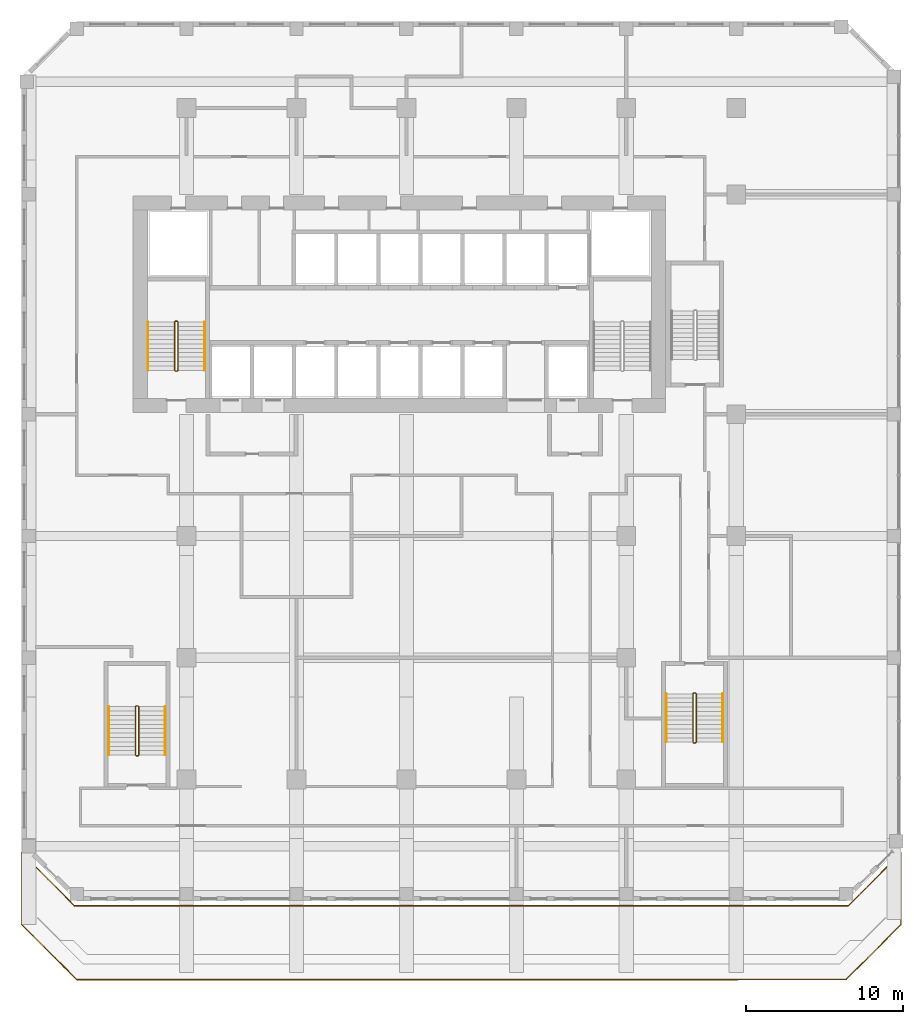
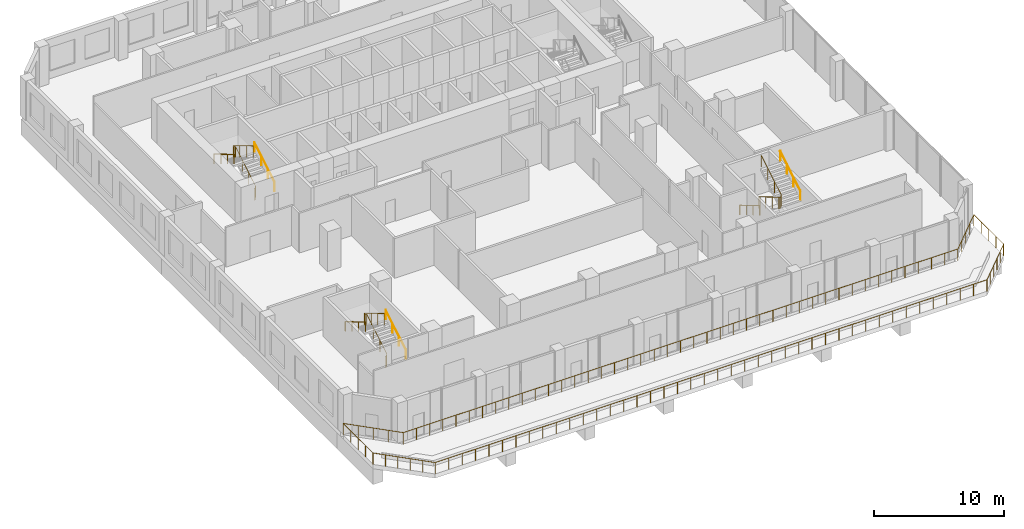
# One storey, part 16 of 17: 10 railings.
"""IFC4 building model written with IfcOpenShell, lengths in metres."""

import ifcopenshell
import ifcopenshell.guid

model = None  # the IFC model being written
_history = None  # IfcOwnerHistory: only IFC2X3 demands one
_inside = {}  # id of a spatial element -> (the spatial element, [elements in it])
_under = {}  # id of a project, library or spatial element -> (it, [spatial elements below it])
_declared = {}  # id of a project -> (the project, [libraries it declares])
_typed = {}  # id of a type object -> (the type object, [elements of that type])
_made_of = {}  # id of a material, layer set ... -> (it, [elements and type objects made of it])


def new_model(schema):
    """Start an empty IFC model of exactly this schema.

    Asked for "IFC4X3", IfcOpenShell would pick the latest addendum, in which some entities
    have other attributes; the version numbers below select the first issue.
    IFC2X3 requires an IfcOwnerHistory on every rooted entity: one is made here for all.
    """
    global model, _history
    if schema == "IFC4X3":
        model = ifcopenshell.file(schema_version=(4, 3, 0, 0))
    else:
        model = ifcopenshell.file(schema=schema)
    _inside.clear()
    _under.clear()
    _declared.clear()
    _typed.clear()
    _made_of.clear()
    _history = None
    if model.schema == "IFC2X3":
        org = make("IfcOrganization", Name="unknown")
        user = make(
            "IfcPersonAndOrganization",
            ThePerson=make("IfcPerson", FamilyName="unknown"),
            TheOrganization=org,
        )
        app = make(
            "IfcApplication",
            ApplicationDeveloper=org,
            Version="unknown",
            ApplicationFullName="unknown",
            ApplicationIdentifier="unknown",
        )
        _history = make(
            "IfcOwnerHistory",
            OwningUser=user,
            OwningApplication=app,
            ChangeAction="ADDED",
            CreationDate=0,
        )
    return model


def make(cls, **values):
    """One entity of the class cls with the attributes given. An attribute that is None is left unset."""
    return model.create_entity(
        cls, **{name: value for name, value in values.items() if value is not None}
    )


def rooted(cls, **values):
    """An entity with a GlobalId (a new one), such as an element, a storey or a relation."""
    return make(cls, GlobalId=ifcopenshell.guid.new(), OwnerHistory=_history, **values)


def si_unit(unit_type, name, prefix=None):
    """IfcSIUnit, for example si_unit("LENGTHUNIT", "METRE", prefix="MILLI")."""
    return make("IfcSIUnit", UnitType=unit_type, Prefix=prefix, Name=name)


def assignment(units):
    """IfcUnitAssignment: the units of a project."""
    return None if units is None else make("IfcUnitAssignment", Units=units)


def point(xyz):
    """IfcCartesianPoint."""
    return None if xyz is None else make("IfcCartesianPoint", Coordinates=xyz)


def direction(xyz):
    """IfcDirection."""
    return None if xyz is None else make("IfcDirection", DirectionRatios=xyz)


def frame(location, z_axis=None, x_axis=None):
    """IfcAxis2Placement3D, a coordinate frame: its origin and axes. An axis left out is left unset."""
    return make(
        "IfcAxis2Placement3D",
        Location=point(location),
        Axis=direction(z_axis),
        RefDirection=direction(x_axis),
    )


def frame_2d(location, x_axis=None):
    """IfcAxis2Placement2D, a coordinate frame in the plane: its origin and x axis."""
    return make(
        "IfcAxis2Placement2D", Location=point(location), RefDirection=direction(x_axis)
    )


def origin():
    """The frame at (0, 0, 0) with its axes left unset."""
    return frame((0.0, 0.0, 0.0))


def origin_2d():
    """The frame at (0, 0) in the plane with its x axis left unset."""
    return frame_2d((0.0, 0.0))


def place(relative_to, where):
    """IfcLocalPlacement: puts the frame where relative to a parent placement (None: the world)."""
    return make(
        "IfcLocalPlacement", PlacementRelTo=relative_to, RelativePlacement=where
    )


def context(
    kind, dimensions, precision=None, world=None, true_north=None, identifier=None
):
    """IfcGeometricRepresentationContext, for example the 3D "Model" context."""
    return make(
        "IfcGeometricRepresentationContext",
        ContextIdentifier=identifier,
        ContextType=kind,
        CoordinateSpaceDimension=dimensions,
        Precision=precision,
        WorldCoordinateSystem=world,
        TrueNorth=true_north,
    )


def subcontext(parent, identifier, kind, view, scale=None):
    """IfcGeometricRepresentationSubContext, for example "Body" below "Model"."""
    return make(
        "IfcGeometricRepresentationSubContext",
        ContextIdentifier=identifier,
        ContextType=kind,
        ParentContext=parent,
        TargetScale=scale,
        TargetView=view,
    )


def project(units=None, contexts=None):
    """IfcProject with its units and contexts."""
    return rooted(
        "IfcProject",
        Name="project",
        RepresentationContexts=contexts,
        UnitsInContext=assignment(units),
    )


def spatial(cls, under=None, at=None, **own):
    """A site, building, storey or space (cls), placed at a placement, below another one or the project."""
    s = rooted(cls, ObjectPlacement=at, **own)
    if under is not None:
        _under.setdefault(under.id(), (under, []))[1].append(s)
    return s


def profile(cls, at=None, kind="AREA", **sizes):
    """A parametric profile (cls). Its sizes go by their IFC names, for example OverallWidth=200.0."""
    return make(cls, ProfileType=kind, Position=at, **sizes)


def circle(**sizes):
    """IfcCircleProfileDef."""
    return profile("IfcCircleProfileDef", **sizes)


def extrude(swept, where, along, depth):
    """IfcExtrudedAreaSolid: the profile swept, set in the frame where, extruded along a direction by depth."""
    return make(
        "IfcExtrudedAreaSolid",
        SweptArea=swept,
        Position=where,
        ExtrudedDirection=direction(along),
        Depth=depth,
    )


def shape(context_of_items, identifier, shape_type, items):
    """IfcShapeRepresentation: the items that make up one representation, for example the "Body"."""
    return make(
        "IfcShapeRepresentation",
        ContextOfItems=context_of_items,
        RepresentationIdentifier=identifier,
        RepresentationType=shape_type,
        Items=items,
    )


def material(Name=None, Category=None):
    """IfcMaterial."""
    return make("IfcMaterial", Name=Name, Category=Category)


def made_of(thing, what):
    """Note that an element or type object is made of a material, layer set ...; save() writes the relation."""
    if what is not None:
        _made_of.setdefault(what.id(), (what, []))[1].append(thing)
    return thing


def type_object(cls, material=None, **own):
    """A type object (cls), such as IfcWallType, which elements share."""
    return made_of(rooted(cls, **own), material)


def element(
    cls,
    number,
    at=None,
    inside=None,
    cuts=None,
    type_object=None,
    material=None,
    context=None,
    identifier="Body",
    shape_type=None,
    held_by="IfcProductDefinitionShape",
    body=None,
    shapes=None,
    **own,
):
    """One element of the class cls, such as IfcWall. Its Tag is "e" and its number.

    at: its placement. inside: the storey or other place that contains it. cuts: it is an
    opening in that element (IfcRelVoidsElement). A single representation is given by context,
    identifier, shape_type and body (its items); several are given by shapes. held_by: the class
    of the entity that holds the representations. save() writes the other relations.
    """
    e = rooted(cls, Tag="e%d" % number, ObjectPlacement=at, **own)
    if body is not None:
        shapes = [shape(context, identifier, shape_type, body)]
    if shapes is not None:
        e.Representation = make(held_by, Representations=shapes)
    if inside is not None:
        _inside.setdefault(inside.id(), (inside, []))[1].append(e)
    if cuts is not None:
        rooted(
            "IfcRelVoidsElement", RelatingBuildingElement=cuts, RelatedOpeningElement=e
        )
    if type_object is not None:
        _typed.setdefault(type_object.id(), (type_object, []))[1].append(e)
    return made_of(e, material)


def aggregate(whole, parts):
    """IfcRelAggregates: a whole, such as a stair, and the parts it consists of."""
    return rooted("IfcRelAggregates", RelatingObject=whole, RelatedObjects=parts)


def save(model, path):
    """Write the relations noted so far, then the file.

    IfcRelAggregates (storeys below a building ...), IfcRelContainedInSpatialStructure (elements
    in a storey), IfcRelDefinesByType, IfcRelAssociatesMaterial and IfcRelDeclares: one each for
    every whole, place, type object, material and project.
    """
    for whole, parts in _under.values():
        aggregate(whole, parts)
    for where, things in _inside.values():
        rooted(
            "IfcRelContainedInSpatialStructure",
            RelatedElements=things,
            RelatingStructure=where,
        )
    for kind, things in _typed.values():
        rooted("IfcRelDefinesByType", RelatedObjects=things, RelatingType=kind)
    for what, things in _made_of.values():
        rooted("IfcRelAssociatesMaterial", RelatedObjects=things, RelatingMaterial=what)
    for by, libraries in _declared.values():
        rooted("IfcRelDeclares", RelatingContext=by, RelatedDefinitions=libraries)
    model.write(path)


model = new_model("IFC4")

# Units and contexts
model_context = context("Model", 3, precision=1e-05, world=origin(), true_north=direction((0.0, 1.0)))
body_context = subcontext(model_context, "Body", "Model", "MODEL_VIEW")
ifc_project = project(units=[si_unit("LENGTHUNIT", "METRE"), si_unit("AREAUNIT", "SQUARE_METRE"), si_unit("VOLUMEUNIT", "CUBIC_METRE"), si_unit("PLANEANGLEUNIT", "RADIAN"), si_unit("MASSUNIT", "GRAM", prefix="KILO")], contexts=[model_context])

# Site, building, storey
site_placement = place(None, origin())
site = spatial("IfcSite", under=ifc_project, at=site_placement, CompositionType="ELEMENT")
building_placement = place(site_placement, origin())
building = spatial("IfcBuilding", under=site, at=building_placement, Name="Kilnfold Tower and Market Hall", CompositionType="ELEMENT")
storey_placement = place(building_placement, frame((0.0, 0.0, 100.60009765625)))
storey = spatial("IfcBuildingStorey", under=building, at=storey_placement, Name="L23", CompositionType="ELEMENT", Elevation=100.60009765625)

# Railings
ifc_material_1 = material(Name="Stainless steel 316", Category="steel")
railing_type_1 = type_object("IfcRailingType", Name="CORE STAIR GUARD 1100", PredefinedType="GUARDRAIL", material=ifc_material_1)
railing_1_placement = place(storey_placement, frame((-13.199951171875, 10.75, 0.0)))
element("IfcRailing", 1, at=railing_1_placement, inside=storey, type_object=railing_type_1, Name="L23 ST1 stair guard 1", PredefinedType="GUARDRAIL", context=body_context, shape_type="SweptSolid", body=[
    extrude(circle(Radius=0.02392578125, at=origin_2d()), frame((0.0, 0.0, 1.076171875), z_axis=(1.0, 0.0, 0.0), x_axis=(0.0, 1.0, 0.0)), (0.0, 0.0, 1.0), 0.099853515625),
    extrude(circle(Radius=0.02392578125, at=origin_2d()), frame((0.099853515625, 0.0, 1.076171875), z_axis=(0.27662974545, 0.27662974545, 0.920299933644), x_axis=(-0.707106781187, 0.707106781187, 0.0)), (0.0, 0.0, 1.0), 0.180908203125),
    extrude(circle(Radius=0.02392578125, at=origin_2d()), frame((0.14990234375, 0.050048828125, 1.24267578125), z_axis=(0.0, 0.859260807169, 0.511537745687), x_axis=(-1.0, 0.0, 0.0)), (0.0, 0.0, 1.0), 3.584228515625),
    extrude(circle(Radius=0.02392578125, at=origin_2d()), frame((0.14990234375, 3.1298828125, 3.076171875), z_axis=(-0.707106781187, 0.707106781187, 0.0), x_axis=(-0.707106781187, -0.707106781187, 0.0)), (0.0, 0.0, 1.0), 0.07080078125),
    extrude(circle(Radius=0.02392578125, at=origin_2d()), frame((0.099853515625, 3.179931640625, 3.076171875), z_axis=(-1.0, 0.0, 0.0), x_axis=(0.0, -1.0, 0.0)), (0.0, 0.0, 1.0), 0.099853515625),
    extrude(circle(Radius=0.02392578125, at=origin_2d()), frame((0.0, 3.179931640625, 3.076171875), z_axis=(-0.27662974545, -0.27662974545, 0.920299933644), x_axis=(0.707106781187, -0.707106781187, 0.0)), (0.0, 0.0, 1.0), 0.180908203125),
    extrude(circle(Radius=0.02392578125, at=origin_2d()), frame((-0.050048828125, 3.1298828125, 3.24267578125), z_axis=(0.0, -0.859260807169, 0.511537745687), x_axis=(1.0, 0.0, 0.0)), (0.0, 0.0, 1.0), 3.584228515625),
    extrude(circle(Radius=0.02099609375, at=origin_2d()), origin(), (0.0, 0.0, 1.0), 1.052001953125),
    extrude(circle(Radius=0.02099609375, at=origin_2d()), frame((0.099853515625, 0.0, 0.0)), (0.0, 0.0, 1.0), 1.052001953125),
    extrude(circle(Radius=0.02099609375, at=origin_2d()), frame((0.14990234375, 0.050048828125, 0.16650390625)), (0.0, 0.0, 1.0), 1.052001953125),
    extrude(circle(Radius=0.02099609375, at=origin_2d()), frame((0.14990234375, 1.07666015625, 0.777587890625)), (0.0, 0.0, 1.0), 1.052001953125),
    extrude(circle(Radius=0.02099609375, at=origin_2d()), frame((0.14990234375, 2.103271484375, 1.388916015625)), (0.0, 0.0, 1.0), 1.052001953125),
    extrude(circle(Radius=0.02099609375, at=origin_2d()), frame((0.14990234375, 3.1298828125, 2.0)), (0.0, 0.0, 1.0), 1.052001953125),
    extrude(circle(Radius=0.02099609375, at=origin_2d()), frame((0.099853515625, 3.179931640625, 2.0)), (0.0, 0.0, 1.0), 1.052001953125),
    extrude(circle(Radius=0.02099609375, at=origin_2d()), frame((0.0, 3.179931640625, 2.0)), (0.0, 0.0, 1.0), 1.052001953125),
    extrude(circle(Radius=0.02099609375, at=origin_2d()), frame((-0.050048828125, 3.1298828125, 2.16650390625)), (0.0, 0.0, 1.0), 1.052001953125),
    extrude(circle(Radius=0.02099609375, at=origin_2d()), frame((-0.050048828125, 2.103271484375, 2.777587890625)), (0.0, 0.0, 1.0), 1.052001953125),
    extrude(circle(Radius=0.02099609375, at=origin_2d()), frame((-0.050048828125, 1.07666015625, 3.388916015625)), (0.0, 0.0, 1.0), 1.052001953125),
    extrude(circle(Radius=0.02099609375, at=origin_2d()), frame((-0.050048828125, 0.050048828125, 4.0)), (0.0, 0.0, 1.0), 1.052001953125),
])
railing_2_placement = place(storey_placement, frame((-15.699951171875, -13.75, 0.0)))
element("IfcRailing", 2, at=railing_2_placement, inside=storey, type_object=railing_type_1, Name="L23 ST3 stair guard 1", PredefinedType="GUARDRAIL", context=body_context, shape_type="SweptSolid", body=[
    extrude(circle(Radius=0.02392578125, at=origin_2d()), frame((0.0, 0.0, 1.076171875), z_axis=(1.0, 0.0, 0.0), x_axis=(0.0, 1.0, 0.0)), (0.0, 0.0, 1.0), 0.099853515625),
    extrude(circle(Radius=0.02392578125, at=origin_2d()), frame((0.099853515625, 0.0, 1.076171875), z_axis=(0.27662974545, 0.27662974545, 0.920299933644), x_axis=(-0.707106781187, 0.707106781187, 0.0)), (0.0, 0.0, 1.0), 0.180908203125),
    extrude(circle(Radius=0.02392578125, at=origin_2d()), frame((0.14990234375, 0.050048828125, 1.24267578125), z_axis=(0.0, 0.859260807169, 0.511537745687), x_axis=(-1.0, 0.0, 0.0)), (0.0, 0.0, 1.0), 3.584228515625),
    extrude(circle(Radius=0.02392578125, at=origin_2d()), frame((0.14990234375, 3.1298828125, 3.076171875), z_axis=(-0.707106781187, 0.707106781187, 0.0), x_axis=(-0.707106781187, -0.707106781187, 0.0)), (0.0, 0.0, 1.0), 0.07080078125),
    extrude(circle(Radius=0.02392578125, at=origin_2d()), frame((0.099853515625, 3.179931640625, 3.076171875), z_axis=(-1.0, 0.0, 0.0), x_axis=(0.0, -1.0, 0.0)), (0.0, 0.0, 1.0), 0.099853515625),
    extrude(circle(Radius=0.02392578125, at=origin_2d()), frame((0.0, 3.179931640625, 3.076171875), z_axis=(-0.27662974545, -0.27662974545, 0.920299933644), x_axis=(0.707106781187, -0.707106781187, 0.0)), (0.0, 0.0, 1.0), 0.180908203125),
    extrude(circle(Radius=0.02392578125, at=origin_2d()), frame((-0.050048828125, 3.1298828125, 3.24267578125), z_axis=(0.0, -0.859260807169, 0.511537745687), x_axis=(1.0, 0.0, 0.0)), (0.0, 0.0, 1.0), 3.584228515625),
    extrude(circle(Radius=0.02099609375, at=origin_2d()), origin(), (0.0, 0.0, 1.0), 1.052001953125),
    extrude(circle(Radius=0.02099609375, at=origin_2d()), frame((0.099853515625, 0.0, 0.0)), (0.0, 0.0, 1.0), 1.052001953125),
    extrude(circle(Radius=0.02099609375, at=origin_2d()), frame((0.14990234375, 0.050048828125, 0.16650390625)), (0.0, 0.0, 1.0), 1.052001953125),
    extrude(circle(Radius=0.02099609375, at=origin_2d()), frame((0.14990234375, 1.07666015625, 0.777587890625)), (0.0, 0.0, 1.0), 1.052001953125),
    extrude(circle(Radius=0.02099609375, at=origin_2d()), frame((0.14990234375, 2.103271484375, 1.388916015625)), (0.0, 0.0, 1.0), 1.052001953125),
    extrude(circle(Radius=0.02099609375, at=origin_2d()), frame((0.14990234375, 3.1298828125, 2.0)), (0.0, 0.0, 1.0), 1.052001953125),
    extrude(circle(Radius=0.02099609375, at=origin_2d()), frame((0.099853515625, 3.179931640625, 2.0)), (0.0, 0.0, 1.0), 1.052001953125),
    extrude(circle(Radius=0.02099609375, at=origin_2d()), frame((0.0, 3.179931640625, 2.0)), (0.0, 0.0, 1.0), 1.052001953125),
    extrude(circle(Radius=0.02099609375, at=origin_2d()), frame((-0.050048828125, 3.1298828125, 2.16650390625)), (0.0, 0.0, 1.0), 1.052001953125),
    extrude(circle(Radius=0.02099609375, at=origin_2d()), frame((-0.050048828125, 2.103271484375, 2.777587890625)), (0.0, 0.0, 1.0), 1.052001953125),
    extrude(circle(Radius=0.02099609375, at=origin_2d()), frame((-0.050048828125, 1.07666015625, 3.388916015625)), (0.0, 0.0, 1.0), 1.052001953125),
    extrude(circle(Radius=0.02099609375, at=origin_2d()), frame((-0.050048828125, 0.050048828125, 4.0)), (0.0, 0.0, 1.0), 1.052001953125),
])
railing_3_placement = place(storey_placement, frame((19.89990234375, -9.75, 0.0)))
element("IfcRailing", 3, at=railing_3_placement, inside=storey, type_object=railing_type_1, Name="L23 ST4 stair guard 1", PredefinedType="GUARDRAIL", context=body_context, shape_type="SweptSolid", body=[
    extrude(circle(Radius=0.02392578125, at=origin_2d()), frame((0.0, 0.0, 1.076171875), z_axis=(-1.0, 0.0, 0.0), x_axis=(0.0, -1.0, 0.0)), (0.0, 0.0, 1.0), 0.099853515625),
    extrude(circle(Radius=0.02392578125, at=origin_2d()), frame((-0.099853515625, 0.0, 1.076171875), z_axis=(-0.27662974545, -0.27662974545, 0.920299933644), x_axis=(0.707106781187, -0.707106781187, 0.0)), (0.0, 0.0, 1.0), 0.180908203125),
    extrude(circle(Radius=0.02392578125, at=origin_2d()), frame((-0.14990234375, -0.050048828125, 1.24267578125), z_axis=(0.0, -0.859260807169, 0.511537745687), x_axis=(1.0, 0.0, 0.0)), (0.0, 0.0, 1.0), 3.584228515625),
    extrude(circle(Radius=0.02392578125, at=origin_2d()), frame((-0.14990234375, -3.1298828125, 3.076171875), z_axis=(0.707106781187, -0.707106781187, 0.0), x_axis=(0.707106781187, 0.707106781187, 0.0)), (0.0, 0.0, 1.0), 0.07080078125),
    extrude(circle(Radius=0.02392578125, at=origin_2d()), frame((-0.099853515625, -3.179931640625, 3.076171875), z_axis=(1.0, 0.0, 0.0), x_axis=(0.0, 1.0, 0.0)), (0.0, 0.0, 1.0), 0.099853515625),
    extrude(circle(Radius=0.02392578125, at=origin_2d()), frame((0.0, -3.179931640625, 3.076171875), z_axis=(0.27662974545, 0.27662974545, 0.920299933644), x_axis=(-0.707106781187, 0.707106781187, 0.0)), (0.0, 0.0, 1.0), 0.180908203125),
    extrude(circle(Radius=0.02392578125, at=origin_2d()), frame((0.050048828125, -3.1298828125, 3.24267578125), z_axis=(0.0, 0.859260807169, 0.511537745687), x_axis=(-1.0, 0.0, 0.0)), (0.0, 0.0, 1.0), 3.584228515625),
    extrude(circle(Radius=0.02099609375, at=origin_2d()), origin(), (0.0, 0.0, 1.0), 1.052001953125),
    extrude(circle(Radius=0.02099609375, at=origin_2d()), frame((-0.099853515625, 0.0, 0.0)), (0.0, 0.0, 1.0), 1.052001953125),
    extrude(circle(Radius=0.02099609375, at=origin_2d()), frame((-0.14990234375, -0.050048828125, 0.16650390625)), (0.0, 0.0, 1.0), 1.052001953125),
    extrude(circle(Radius=0.02099609375, at=origin_2d()), frame((-0.14990234375, -1.07666015625, 0.777587890625)), (0.0, 0.0, 1.0), 1.052001953125),
    extrude(circle(Radius=0.02099609375, at=origin_2d()), frame((-0.14990234375, -2.103271484375, 1.388916015625)), (0.0, 0.0, 1.0), 1.052001953125),
    extrude(circle(Radius=0.02099609375, at=origin_2d()), frame((-0.14990234375, -3.1298828125, 2.0)), (0.0, 0.0, 1.0), 1.052001953125),
    extrude(circle(Radius=0.02099609375, at=origin_2d()), frame((-0.099853515625, -3.179931640625, 2.0)), (0.0, 0.0, 1.0), 1.052001953125),
    extrude(circle(Radius=0.02099609375, at=origin_2d()), frame((0.0, -3.179931640625, 2.0)), (0.0, 0.0, 1.0), 1.052001953125),
    extrude(circle(Radius=0.02099609375, at=origin_2d()), frame((0.050048828125, -3.1298828125, 2.16650390625)), (0.0, 0.0, 1.0), 1.052001953125),
    extrude(circle(Radius=0.02099609375, at=origin_2d()), frame((0.050048828125, -2.103271484375, 2.777587890625)), (0.0, 0.0, 1.0), 1.052001953125),
    extrude(circle(Radius=0.02099609375, at=origin_2d()), frame((0.050048828125, -1.07666015625, 3.388916015625)), (0.0, 0.0, 1.0), 1.052001953125),
    extrude(circle(Radius=0.02099609375, at=origin_2d()), frame((0.050048828125, -0.050048828125, 4.0)), (0.0, 0.0, 1.0), 1.052001953125),
])
ifc_material_2 = material(Name="Stainless steel 316", Category="steel")
railing_type_2 = type_object("IfcRailingType", Name="CORE STAIR HANDRAIL 900", PredefinedType="HANDRAIL", material=ifc_material_2)
railing_4_placement = place(storey_placement, frame((-11.35009765625, 10.800048828125, 0.16650390625)))
element("IfcRailing", 4, at=railing_4_placement, inside=storey, type_object=railing_type_2, Name="L23 ST1 stair handrail 1", PredefinedType="HANDRAIL", context=body_context, shape_type="SweptSolid", body=[
    extrude(circle(Radius=0.02392578125, at=origin_2d()), frame((0.0, 0.0, 0.8759765625), z_axis=(0.0, 0.859260807169, 0.511537745687), x_axis=(-1.0, 0.0, 0.0)), (0.0, 0.0, 1.0), 3.584228515625),
    extrude(circle(Radius=0.02099609375, at=origin_2d()), origin(), (0.0, 0.0, 1.0), 0.851806640625),
    extrude(circle(Radius=0.02099609375, at=origin_2d()), frame((0.0, 1.026611328125, 0.611083984375)), (0.0, 0.0, 1.0), 0.851806640625),
    extrude(circle(Radius=0.02099609375, at=origin_2d()), frame((0.0, 2.05322265625, 1.222412109375)), (0.0, 0.0, 1.0), 0.851806640625),
    extrude(circle(Radius=0.02099609375, at=origin_2d()), frame((0.0, 3.079833984375, 1.83349609375)), (0.0, 0.0, 1.0), 0.851806640625),
])
railing_5_placement = place(storey_placement, frame((-14.949951171875, 13.8798828125, 2.16650390625)))
element("IfcRailing", 5, at=railing_5_placement, inside=storey, type_object=railing_type_2, Name="L23 ST1 stair handrail 2", PredefinedType="HANDRAIL", context=body_context, shape_type="SweptSolid", body=[
    extrude(circle(Radius=0.02392578125, at=origin_2d()), frame((0.0, 0.0, 0.8759765625), z_axis=(0.0, -0.859260807169, 0.511537745687), x_axis=(1.0, 0.0, 0.0)), (0.0, 0.0, 1.0), 3.584228515625),
    extrude(circle(Radius=0.02099609375, at=origin_2d()), origin(), (0.0, 0.0, 1.0), 0.851806640625),
    extrude(circle(Radius=0.02099609375, at=origin_2d()), frame((0.0, -1.026611328125, 0.611083984375)), (0.0, 0.0, 1.0), 0.851806640625),
    extrude(circle(Radius=0.02099609375, at=origin_2d()), frame((0.0, -2.05322265625, 1.222412109375)), (0.0, 0.0, 1.0), 0.851806640625),
    extrude(circle(Radius=0.02099609375, at=origin_2d()), frame((0.0, -3.079833984375, 1.83349609375)), (0.0, 0.0, 1.0), 0.851806640625),
])
railing_6_placement = place(storey_placement, frame((-13.85009765625, -13.699951171875, 0.16650390625)))
element("IfcRailing", 6, at=railing_6_placement, inside=storey, type_object=railing_type_2, Name="L23 ST3 stair handrail 1", PredefinedType="HANDRAIL", context=body_context, shape_type="SweptSolid", body=[
    extrude(circle(Radius=0.02392578125, at=origin_2d()), frame((0.0, 0.0, 0.8759765625), z_axis=(0.0, 0.859260807169, 0.511537745687), x_axis=(-1.0, 0.0, 0.0)), (0.0, 0.0, 1.0), 3.584228515625),
    extrude(circle(Radius=0.02099609375, at=origin_2d()), origin(), (0.0, 0.0, 1.0), 0.851806640625),
    extrude(circle(Radius=0.02099609375, at=origin_2d()), frame((0.0, 1.026611328125, 0.611083984375)), (0.0, 0.0, 1.0), 0.851806640625),
    extrude(circle(Radius=0.02099609375, at=origin_2d()), frame((0.0, 2.05322265625, 1.222412109375)), (0.0, 0.0, 1.0), 0.851806640625),
    extrude(circle(Radius=0.02099609375, at=origin_2d()), frame((0.0, 3.079833984375, 1.83349609375)), (0.0, 0.0, 1.0), 0.851806640625),
])
for number, where, name in (
    (7, (-17.449951171875, -10.6201171875, 2.16650390625), "L23 ST3 stair handrail 2"),
    (8, (18.050048828125, -9.800048828125, 0.16650390625), "L23 ST4 stair handrail 1"),
):
    element("IfcRailing", number, at=place(storey_placement, frame(where)), inside=storey, type_object=railing_type_2, Name=name, PredefinedType="HANDRAIL", context=body_context, shape_type="SweptSolid", body=[
        extrude(circle(Radius=0.02392578125, at=origin_2d()), frame((0.0, 0.0, 0.8759765625), z_axis=(0.0, -0.859260807169, 0.511537745687), x_axis=(1.0, 0.0, 0.0)), (0.0, 0.0, 1.0), 3.584228515625),
        extrude(circle(Radius=0.02099609375, at=origin_2d()), origin(), (0.0, 0.0, 1.0), 0.851806640625),
        extrude(circle(Radius=0.02099609375, at=origin_2d()), frame((0.0, -1.026611328125, 0.611083984375)), (0.0, 0.0, 1.0), 0.851806640625),
        extrude(circle(Radius=0.02099609375, at=origin_2d()), frame((0.0, -2.05322265625, 1.222412109375)), (0.0, 0.0, 1.0), 0.851806640625),
        extrude(circle(Radius=0.02099609375, at=origin_2d()), frame((0.0, -3.079833984375, 1.83349609375)), (0.0, 0.0, 1.0), 0.851806640625),
    ])
railing_7_placement = place(storey_placement, frame((21.64990234375, -12.8798828125, 2.16650390625)))
element("IfcRailing", 9, at=railing_7_placement, inside=storey, type_object=railing_type_2, Name="L23 ST4 stair handrail 2", PredefinedType="HANDRAIL", context=body_context, shape_type="SweptSolid", body=[
    extrude(circle(Radius=0.02392578125, at=origin_2d()), frame((0.0, 0.0, 0.8759765625), z_axis=(0.0, 0.859260807169, 0.511537745687), x_axis=(-1.0, 0.0, 0.0)), (0.0, 0.0, 1.0), 3.584228515625),
    extrude(circle(Radius=0.02099609375, at=origin_2d()), origin(), (0.0, 0.0, 1.0), 0.851806640625),
    extrude(circle(Radius=0.02099609375, at=origin_2d()), frame((0.0, 1.026611328125, 0.611083984375)), (0.0, 0.0, 1.0), 0.851806640625),
    extrude(circle(Radius=0.02099609375, at=origin_2d()), frame((0.0, 2.05322265625, 1.222412109375)), (0.0, 0.0, 1.0), 0.851806640625),
    extrude(circle(Radius=0.02099609375, at=origin_2d()), frame((0.0, 3.079833984375, 1.83349609375)), (0.0, 0.0, 1.0), 0.851806640625),
])
ifc_material_3 = material(Name="Stainless steel and laminated glass", Category="steel")
railing_type_3 = type_object("IfcRailingType", Name="GUARD 1100", PredefinedType="GUARDRAIL", material=ifc_material_3)
railing_8_placement = place(storey_placement, frame((33.0, -24.5, 0.0)))
element("IfcRailing", 10, at=railing_8_placement, inside=storey, type_object=railing_type_3, Name="Guard terrace L23", PredefinedType="GUARDRAIL", context=body_context, shape_type="SweptSolid", body=[
    extrude(circle(Radius=0.02490234375, at=origin_2d()), frame((0.0, 0.0, 1.0751953125), z_axis=(-0.707106781187, -0.707106781187, 0.0), x_axis=(0.707106781187, -0.707106781187, 0.0)), (0.0, 0.0, 1.0), 4.94970703125),
    extrude(circle(Radius=0.02490234375, at=origin_2d()), frame((-3.5, -3.5, 1.0751953125), z_axis=(-1.0, 0.0, 0.0), x_axis=(0.0, -1.0, 0.0)), (0.0, 0.0, 1.0), 49.0),
    extrude(circle(Radius=0.02490234375, at=origin_2d()), frame((-52.5, -3.5, 1.0751953125), z_axis=(-0.707106781187, 0.707106781187, 0.0), x_axis=(-0.707106781187, -0.707106781187, 0.0)), (0.0, 0.0, 1.0), 4.94970703125),
    extrude(circle(Radius=0.02490234375, at=origin_2d()), frame((-56.0, 0.0, 1.0751953125), z_axis=(0.0, 1.0, 0.0), x_axis=(-1.0, 0.0, 0.0)), (0.0, 0.0, 1.0), 4.57568359375),
    extrude(circle(Radius=0.02490234375, at=origin_2d()), frame((-56.0, 4.57568359375, 1.0751953125), z_axis=(0.707106781187, -0.707106781187, 0.0), x_axis=(0.707106781187, 0.707106781187, 0.0)), (0.0, 0.0, 1.0), 4.77392578125),
    extrude(circle(Radius=0.02490234375, at=origin_2d()), frame((-52.624267578125, 1.199951171875, 1.0751953125), z_axis=(1.0, 0.0, 0.0), x_axis=(0.0, 1.0, 0.0)), (0.0, 0.0, 1.0), 49.24853515625),
    extrude(circle(Radius=0.02490234375, at=origin_2d()), frame((-3.375732421875, 1.199951171875, 1.0751953125), z_axis=(0.707106781187, 0.707106781187, 0.0), x_axis=(-0.707106781187, 0.707106781187, 0.0)), (0.0, 0.0, 1.0), 4.77392578125),
    extrude(circle(Radius=0.02490234375, at=origin_2d()), frame((0.0, 4.57568359375, 1.0751953125), z_axis=(0.0, -1.0, 0.0), x_axis=(1.0, 0.0, 0.0)), (0.0, 0.0, 1.0), 4.515625),
    extrude(circle(Radius=0.02490234375, at=origin_2d()), origin(), (0.0, 0.0, 1.0), 1.050048828125),
    extrude(circle(Radius=0.02490234375, at=origin_2d()), frame((-0.699951171875, -0.699951171875, 0.0)), (0.0, 0.0, 1.0), 1.050048828125),
    extrude(circle(Radius=0.02490234375, at=origin_2d()), frame((-1.39990234375, -1.39990234375, 0.0)), (0.0, 0.0, 1.0), 1.050048828125),
    extrude(circle(Radius=0.02490234375, at=origin_2d()), frame((-2.10009765625, -2.10009765625, 0.0)), (0.0, 0.0, 1.0), 1.050048828125),
    extrude(circle(Radius=0.02490234375, at=origin_2d()), frame((-2.800048828125, -2.800048828125, 0.0)), (0.0, 0.0, 1.0), 1.050048828125),
    extrude(circle(Radius=0.02490234375, at=origin_2d()), frame((-3.5, -3.5, 0.0)), (0.0, 0.0, 1.0), 1.050048828125),
    extrude(circle(Radius=0.02490234375, at=origin_2d()), frame((-4.695068359375, -3.5, 0.0)), (0.0, 0.0, 1.0), 1.050048828125),
    extrude(circle(Radius=0.02490234375, at=origin_2d()), frame((-5.89013671875, -3.5, 0.0)), (0.0, 0.0, 1.0), 1.050048828125),
    extrude(circle(Radius=0.02490234375, at=origin_2d()), frame((-7.08544921875, -3.5, 0.0)), (0.0, 0.0, 1.0), 1.050048828125),
    extrude(circle(Radius=0.02490234375, at=origin_2d()), frame((-8.280517578125, -3.5, 0.0)), (0.0, 0.0, 1.0), 1.050048828125),
    extrude(circle(Radius=0.02490234375, at=origin_2d()), frame((-9.4755859375, -3.5, 0.0)), (0.0, 0.0, 1.0), 1.050048828125),
    extrude(circle(Radius=0.02490234375, at=origin_2d()), frame((-10.670654296875, -3.5, 0.0)), (0.0, 0.0, 1.0), 1.050048828125),
    extrude(circle(Radius=0.02490234375, at=origin_2d()), frame((-11.865966796875, -3.5, 0.0)), (0.0, 0.0, 1.0), 1.050048828125),
    extrude(circle(Radius=0.02490234375, at=origin_2d()), frame((-13.06103515625, -3.5, 0.0)), (0.0, 0.0, 1.0), 1.050048828125),
    extrude(circle(Radius=0.02490234375, at=origin_2d()), frame((-14.256103515625, -3.5, 0.0)), (0.0, 0.0, 1.0), 1.050048828125),
    extrude(circle(Radius=0.02490234375, at=origin_2d()), frame((-15.451171875, -3.5, 0.0)), (0.0, 0.0, 1.0), 1.050048828125),
    extrude(circle(Radius=0.02490234375, at=origin_2d()), frame((-16.646240234375, -3.5, 0.0)), (0.0, 0.0, 1.0), 1.050048828125),
    extrude(circle(Radius=0.02490234375, at=origin_2d()), frame((-17.841552734375, -3.5, 0.0)), (0.0, 0.0, 1.0), 1.050048828125),
    extrude(circle(Radius=0.02490234375, at=origin_2d()), frame((-19.03662109375, -3.5, 0.0)), (0.0, 0.0, 1.0), 1.050048828125),
    extrude(circle(Radius=0.02490234375, at=origin_2d()), frame((-20.231689453125, -3.5, 0.0)), (0.0, 0.0, 1.0), 1.050048828125),
    extrude(circle(Radius=0.02490234375, at=origin_2d()), frame((-21.4267578125, -3.5, 0.0)), (0.0, 0.0, 1.0), 1.050048828125),
    extrude(circle(Radius=0.02490234375, at=origin_2d()), frame((-22.6220703125, -3.5, 0.0)), (0.0, 0.0, 1.0), 1.050048828125),
    extrude(circle(Radius=0.02490234375, at=origin_2d()), frame((-23.817138671875, -3.5, 0.0)), (0.0, 0.0, 1.0), 1.050048828125),
    extrude(circle(Radius=0.02490234375, at=origin_2d()), frame((-25.01220703125, -3.5, 0.0)), (0.0, 0.0, 1.0), 1.050048828125),
    extrude(circle(Radius=0.02490234375, at=origin_2d()), frame((-26.207275390625, -3.5, 0.0)), (0.0, 0.0, 1.0), 1.050048828125),
    extrude(circle(Radius=0.02490234375, at=origin_2d()), frame((-27.40234375, -3.5, 0.0)), (0.0, 0.0, 1.0), 1.050048828125),
    extrude(circle(Radius=0.02490234375, at=origin_2d()), frame((-28.59765625, -3.5, 0.0)), (0.0, 0.0, 1.0), 1.050048828125),
    extrude(circle(Radius=0.02490234375, at=origin_2d()), frame((-29.792724609375, -3.5, 0.0)), (0.0, 0.0, 1.0), 1.050048828125),
    extrude(circle(Radius=0.02490234375, at=origin_2d()), frame((-30.98779296875, -3.5, 0.0)), (0.0, 0.0, 1.0), 1.050048828125),
    extrude(circle(Radius=0.02490234375, at=origin_2d()), frame((-32.182861328125, -3.5, 0.0)), (0.0, 0.0, 1.0), 1.050048828125),
    extrude(circle(Radius=0.02490234375, at=origin_2d()), frame((-33.3779296875, -3.5, 0.0)), (0.0, 0.0, 1.0), 1.050048828125),
    extrude(circle(Radius=0.02490234375, at=origin_2d()), frame((-34.5732421875, -3.5, 0.0)), (0.0, 0.0, 1.0), 1.050048828125),
    extrude(circle(Radius=0.02490234375, at=origin_2d()), frame((-35.768310546875, -3.5, 0.0)), (0.0, 0.0, 1.0), 1.050048828125),
    extrude(circle(Radius=0.02490234375, at=origin_2d()), frame((-36.96337890625, -3.5, 0.0)), (0.0, 0.0, 1.0), 1.050048828125),
    extrude(circle(Radius=0.02490234375, at=origin_2d()), frame((-38.158447265625, -3.5, 0.0)), (0.0, 0.0, 1.0), 1.050048828125),
    extrude(circle(Radius=0.02490234375, at=origin_2d()), frame((-39.353759765625, -3.5, 0.0)), (0.0, 0.0, 1.0), 1.050048828125),
    extrude(circle(Radius=0.02490234375, at=origin_2d()), frame((-40.548828125, -3.5, 0.0)), (0.0, 0.0, 1.0), 1.050048828125),
    extrude(circle(Radius=0.02490234375, at=origin_2d()), frame((-41.743896484375, -3.5, 0.0)), (0.0, 0.0, 1.0), 1.050048828125),
    extrude(circle(Radius=0.02490234375, at=origin_2d()), frame((-42.93896484375, -3.5, 0.0)), (0.0, 0.0, 1.0), 1.050048828125),
    extrude(circle(Radius=0.02490234375, at=origin_2d()), frame((-44.134033203125, -3.5, 0.0)), (0.0, 0.0, 1.0), 1.050048828125),
    extrude(circle(Radius=0.02490234375, at=origin_2d()), frame((-45.329345703125, -3.5, 0.0)), (0.0, 0.0, 1.0), 1.050048828125),
    extrude(circle(Radius=0.02490234375, at=origin_2d()), frame((-46.5244140625, -3.5, 0.0)), (0.0, 0.0, 1.0), 1.050048828125),
    extrude(circle(Radius=0.02490234375, at=origin_2d()), frame((-47.719482421875, -3.5, 0.0)), (0.0, 0.0, 1.0), 1.050048828125),
    extrude(circle(Radius=0.02490234375, at=origin_2d()), frame((-48.91455078125, -3.5, 0.0)), (0.0, 0.0, 1.0), 1.050048828125),
    extrude(circle(Radius=0.02490234375, at=origin_2d()), frame((-50.10986328125, -3.5, 0.0)), (0.0, 0.0, 1.0), 1.050048828125),
    extrude(circle(Radius=0.02490234375, at=origin_2d()), frame((-51.304931640625, -3.5, 0.0)), (0.0, 0.0, 1.0), 1.050048828125),
    extrude(circle(Radius=0.02490234375, at=origin_2d()), frame((-52.5, -3.5, 0.0)), (0.0, 0.0, 1.0), 1.050048828125),
    extrude(circle(Radius=0.02490234375, at=origin_2d()), frame((-53.199951171875, -2.800048828125, 0.0)), (0.0, 0.0, 1.0), 1.050048828125),
    extrude(circle(Radius=0.02490234375, at=origin_2d()), frame((-53.89990234375, -2.10009765625, 0.0)), (0.0, 0.0, 1.0), 1.050048828125),
    extrude(circle(Radius=0.02490234375, at=origin_2d()), frame((-54.60009765625, -1.39990234375, 0.0)), (0.0, 0.0, 1.0), 1.050048828125),
    extrude(circle(Radius=0.02490234375, at=origin_2d()), frame((-55.300048828125, -0.699951171875, 0.0)), (0.0, 0.0, 1.0), 1.050048828125),
    extrude(circle(Radius=0.02490234375, at=origin_2d()), frame((-56.0, 0.0, 0.0)), (0.0, 0.0, 1.0), 1.050048828125),
    extrude(circle(Radius=0.02490234375, at=origin_2d()), frame((-56.0, 1.14404296875, 0.0)), (0.0, 0.0, 1.0), 1.050048828125),
    extrude(circle(Radius=0.02490234375, at=origin_2d()), frame((-56.0, 2.287841796875, 0.0)), (0.0, 0.0, 1.0), 1.050048828125),
    extrude(circle(Radius=0.02490234375, at=origin_2d()), frame((-56.0, 3.431640625, 0.0)), (0.0, 0.0, 1.0), 1.050048828125),
    extrude(circle(Radius=0.02490234375, at=origin_2d()), frame((-56.0, 4.57568359375, 0.0)), (0.0, 0.0, 1.0), 1.050048828125),
    extrude(circle(Radius=0.02490234375, at=origin_2d()), frame((-55.156005859375, 3.731689453125, 0.0)), (0.0, 0.0, 1.0), 1.050048828125),
    extrude(circle(Radius=0.02490234375, at=origin_2d()), frame((-54.31201171875, 2.8876953125, 0.0)), (0.0, 0.0, 1.0), 1.050048828125),
    extrude(circle(Radius=0.02490234375, at=origin_2d()), frame((-53.46826171875, 2.0439453125, 0.0)), (0.0, 0.0, 1.0), 1.050048828125),
    extrude(circle(Radius=0.02490234375, at=origin_2d()), frame((-52.624267578125, 1.199951171875, 0.0)), (0.0, 0.0, 1.0), 1.050048828125),
    extrude(circle(Radius=0.02490234375, at=origin_2d()), frame((-51.45166015625, 1.199951171875, 0.0)), (0.0, 0.0, 1.0), 1.050048828125),
    extrude(circle(Radius=0.02490234375, at=origin_2d()), frame((-50.279052734375, 1.199951171875, 0.0)), (0.0, 0.0, 1.0), 1.050048828125),
    extrude(circle(Radius=0.02490234375, at=origin_2d()), frame((-49.1064453125, 1.199951171875, 0.0)), (0.0, 0.0, 1.0), 1.050048828125),
    extrude(circle(Radius=0.02490234375, at=origin_2d()), frame((-47.933837890625, 1.199951171875, 0.0)), (0.0, 0.0, 1.0), 1.050048828125),
    extrude(circle(Radius=0.02490234375, at=origin_2d()), frame((-46.76123046875, 1.199951171875, 0.0)), (0.0, 0.0, 1.0), 1.050048828125),
    extrude(circle(Radius=0.02490234375, at=origin_2d()), frame((-45.5888671875, 1.199951171875, 0.0)), (0.0, 0.0, 1.0), 1.050048828125),
    extrude(circle(Radius=0.02490234375, at=origin_2d()), frame((-44.416259765625, 1.199951171875, 0.0)), (0.0, 0.0, 1.0), 1.050048828125),
    extrude(circle(Radius=0.02490234375, at=origin_2d()), frame((-43.24365234375, 1.199951171875, 0.0)), (0.0, 0.0, 1.0), 1.050048828125),
    extrude(circle(Radius=0.02490234375, at=origin_2d()), frame((-42.071044921875, 1.199951171875, 0.0)), (0.0, 0.0, 1.0), 1.050048828125),
    extrude(circle(Radius=0.02490234375, at=origin_2d()), frame((-40.8984375, 1.199951171875, 0.0)), (0.0, 0.0, 1.0), 1.050048828125),
    extrude(circle(Radius=0.02490234375, at=origin_2d()), frame((-39.725830078125, 1.199951171875, 0.0)), (0.0, 0.0, 1.0), 1.050048828125),
    extrude(circle(Radius=0.02490234375, at=origin_2d()), frame((-38.55322265625, 1.199951171875, 0.0)), (0.0, 0.0, 1.0), 1.050048828125),
    extrude(circle(Radius=0.02490234375, at=origin_2d()), frame((-37.380615234375, 1.199951171875, 0.0)), (0.0, 0.0, 1.0), 1.050048828125),
    extrude(circle(Radius=0.02490234375, at=origin_2d()), frame((-36.2080078125, 1.199951171875, 0.0)), (0.0, 0.0, 1.0), 1.050048828125),
    extrude(circle(Radius=0.02490234375, at=origin_2d()), frame((-35.035400390625, 1.199951171875, 0.0)), (0.0, 0.0, 1.0), 1.050048828125),
    extrude(circle(Radius=0.02490234375, at=origin_2d()), frame((-33.863037109375, 1.199951171875, 0.0)), (0.0, 0.0, 1.0), 1.050048828125),
    extrude(circle(Radius=0.02490234375, at=origin_2d()), frame((-32.6904296875, 1.199951171875, 0.0)), (0.0, 0.0, 1.0), 1.050048828125),
    extrude(circle(Radius=0.02490234375, at=origin_2d()), frame((-31.517822265625, 1.199951171875, 0.0)), (0.0, 0.0, 1.0), 1.050048828125),
    extrude(circle(Radius=0.02490234375, at=origin_2d()), frame((-30.34521484375, 1.199951171875, 0.0)), (0.0, 0.0, 1.0), 1.050048828125),
    extrude(circle(Radius=0.02490234375, at=origin_2d()), frame((-29.172607421875, 1.199951171875, 0.0)), (0.0, 0.0, 1.0), 1.050048828125),
    extrude(circle(Radius=0.02490234375, at=origin_2d()), frame((-28.0, 1.199951171875, 0.0)), (0.0, 0.0, 1.0), 1.050048828125),
    extrude(circle(Radius=0.02490234375, at=origin_2d()), frame((-26.827392578125, 1.199951171875, 0.0)), (0.0, 0.0, 1.0), 1.050048828125),
    extrude(circle(Radius=0.02490234375, at=origin_2d()), frame((-25.65478515625, 1.199951171875, 0.0)), (0.0, 0.0, 1.0), 1.050048828125),
    extrude(circle(Radius=0.02490234375, at=origin_2d()), frame((-24.482177734375, 1.199951171875, 0.0)), (0.0, 0.0, 1.0), 1.050048828125),
    extrude(circle(Radius=0.02490234375, at=origin_2d()), frame((-23.3095703125, 1.199951171875, 0.0)), (0.0, 0.0, 1.0), 1.050048828125),
    extrude(circle(Radius=0.02490234375, at=origin_2d()), frame((-22.136962890625, 1.199951171875, 0.0)), (0.0, 0.0, 1.0), 1.050048828125),
    extrude(circle(Radius=0.02490234375, at=origin_2d()), frame((-20.964599609375, 1.199951171875, 0.0)), (0.0, 0.0, 1.0), 1.050048828125),
    extrude(circle(Radius=0.02490234375, at=origin_2d()), frame((-19.7919921875, 1.199951171875, 0.0)), (0.0, 0.0, 1.0), 1.050048828125),
    extrude(circle(Radius=0.02490234375, at=origin_2d()), frame((-18.619384765625, 1.199951171875, 0.0)), (0.0, 0.0, 1.0), 1.050048828125),
    extrude(circle(Radius=0.02490234375, at=origin_2d()), frame((-17.44677734375, 1.199951171875, 0.0)), (0.0, 0.0, 1.0), 1.050048828125),
    extrude(circle(Radius=0.02490234375, at=origin_2d()), frame((-16.274169921875, 1.199951171875, 0.0)), (0.0, 0.0, 1.0), 1.050048828125),
    extrude(circle(Radius=0.02490234375, at=origin_2d()), frame((-15.1015625, 1.199951171875, 0.0)), (0.0, 0.0, 1.0), 1.050048828125),
    extrude(circle(Radius=0.02490234375, at=origin_2d()), frame((-13.928955078125, 1.199951171875, 0.0)), (0.0, 0.0, 1.0), 1.050048828125),
    extrude(circle(Radius=0.02490234375, at=origin_2d()), frame((-12.75634765625, 1.199951171875, 0.0)), (0.0, 0.0, 1.0), 1.050048828125),
    extrude(circle(Radius=0.02490234375, at=origin_2d()), frame((-11.583740234375, 1.199951171875, 0.0)), (0.0, 0.0, 1.0), 1.050048828125),
    extrude(circle(Radius=0.02490234375, at=origin_2d()), frame((-10.4111328125, 1.199951171875, 0.0)), (0.0, 0.0, 1.0), 1.050048828125),
    extrude(circle(Radius=0.02490234375, at=origin_2d()), frame((-9.23876953125, 1.199951171875, 0.0)), (0.0, 0.0, 1.0), 1.050048828125),
    extrude(circle(Radius=0.02490234375, at=origin_2d()), frame((-8.066162109375, 1.199951171875, 0.0)), (0.0, 0.0, 1.0), 1.050048828125),
    extrude(circle(Radius=0.02490234375, at=origin_2d()), frame((-6.8935546875, 1.199951171875, 0.0)), (0.0, 0.0, 1.0), 1.050048828125),
    extrude(circle(Radius=0.02490234375, at=origin_2d()), frame((-5.720947265625, 1.199951171875, 0.0)), (0.0, 0.0, 1.0), 1.050048828125),
    extrude(circle(Radius=0.02490234375, at=origin_2d()), frame((-4.54833984375, 1.199951171875, 0.0)), (0.0, 0.0, 1.0), 1.050048828125),
    extrude(circle(Radius=0.02490234375, at=origin_2d()), frame((-3.375732421875, 1.199951171875, 0.0)), (0.0, 0.0, 1.0), 1.050048828125),
    extrude(circle(Radius=0.02490234375, at=origin_2d()), frame((-2.53173828125, 2.0439453125, 0.0)), (0.0, 0.0, 1.0), 1.050048828125),
    extrude(circle(Radius=0.02490234375, at=origin_2d()), frame((-1.68798828125, 2.8876953125, 0.0)), (0.0, 0.0, 1.0), 1.050048828125),
    extrude(circle(Radius=0.02490234375, at=origin_2d()), frame((-0.843994140625, 3.731689453125, 0.0)), (0.0, 0.0, 1.0), 1.050048828125),
    extrude(circle(Radius=0.02490234375, at=origin_2d()), frame((0.0, 4.57568359375, 0.0)), (0.0, 0.0, 1.0), 1.050048828125),
    extrude(circle(Radius=0.02490234375, at=origin_2d()), frame((0.0, 3.44677734375, 0.0)), (0.0, 0.0, 1.0), 1.050048828125),
    extrude(circle(Radius=0.02490234375, at=origin_2d()), frame((0.0, 2.31787109375, 0.0)), (0.0, 0.0, 1.0), 1.050048828125),
    extrude(circle(Radius=0.02490234375, at=origin_2d()), frame((0.0, 1.18896484375, 0.0)), (0.0, 0.0, 1.0), 1.050048828125),
    extrude(circle(Radius=0.02490234375, at=origin_2d()), frame((0.0, 0.06005859375, 0.0)), (0.0, 0.0, 1.0), 1.050048828125),
])

save(model, "model.ifc")
